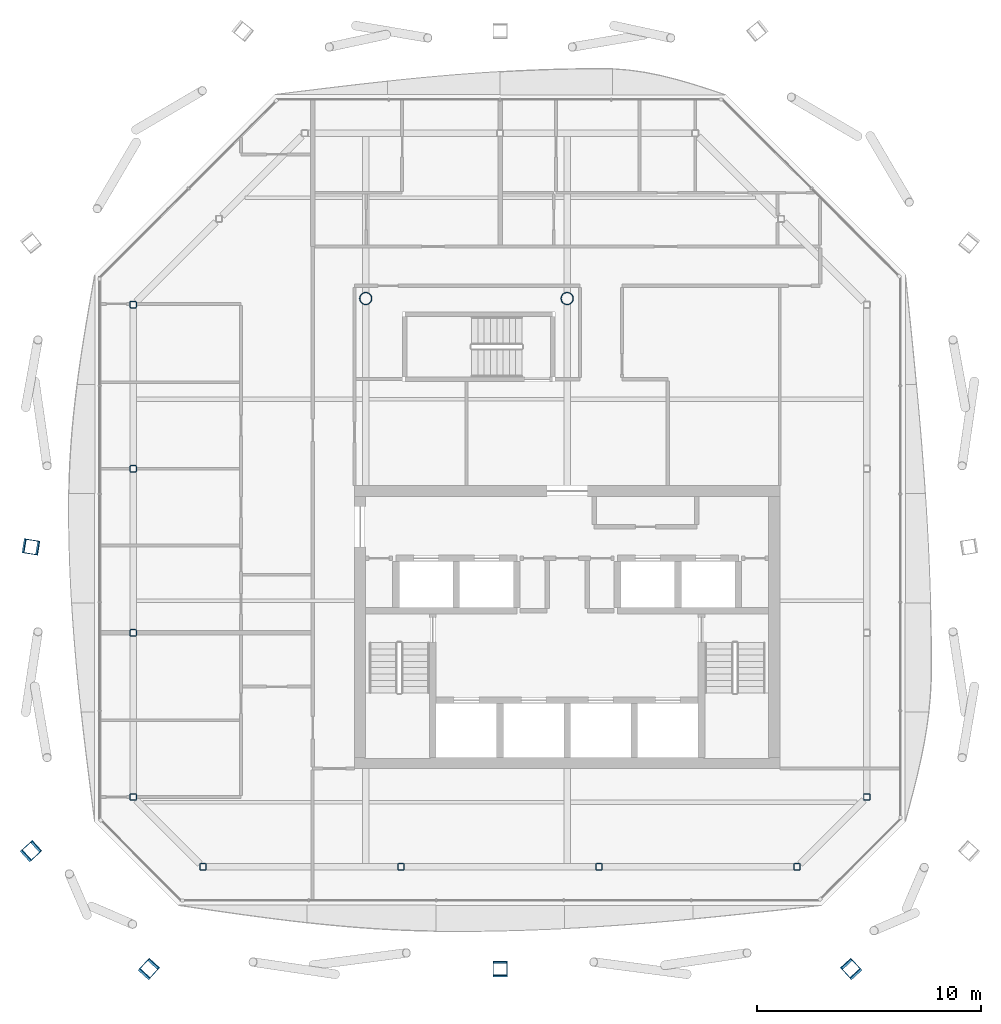
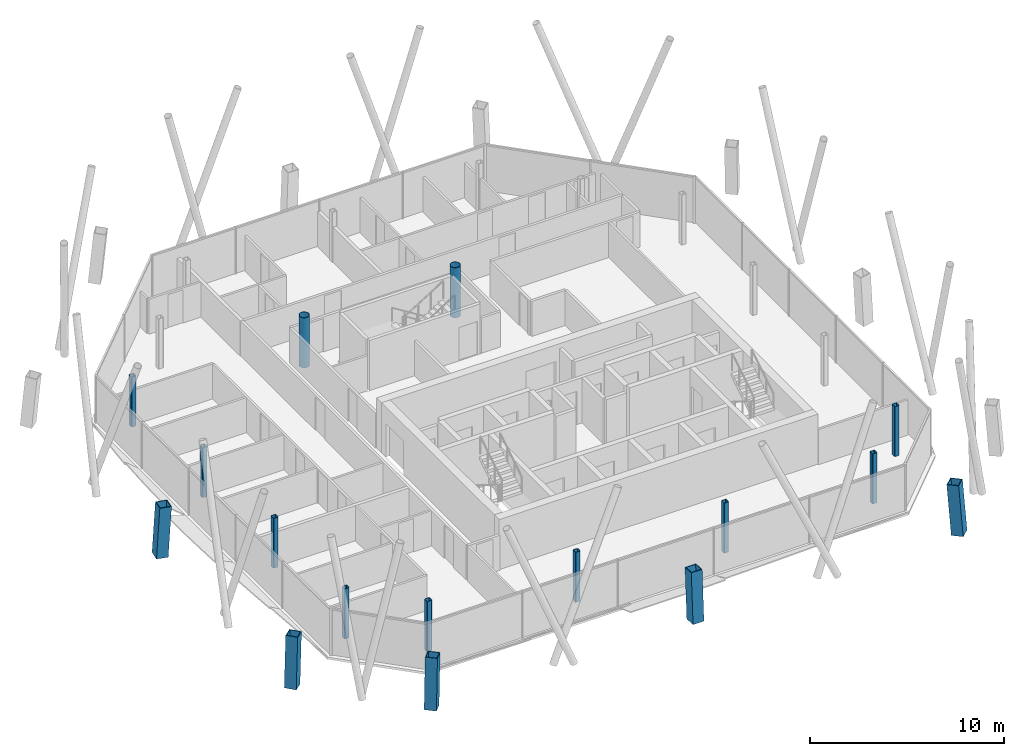
# One storey, part 1 of 17: 16 columns.
"""IFC4 building model written with IfcOpenShell, lengths in metres."""

from ifc_helpers import new_model, si_unit, direction, frame, origin, origin_2d, place, context, subcontext, project, spatial, hollow_rectangle, hollow_circle, extrude, material, material_profile, profile_set, type_object, element, save


model = new_model("IFC4")

# Units and contexts
model_context = context("Model", 3, precision=1e-05, world=origin(), true_north=direction((0.0, 1.0)))
body_context = subcontext(model_context, "Body", "Model", "MODEL_VIEW")
ifc_project = project(units=[si_unit("LENGTHUNIT", "METRE"), si_unit("AREAUNIT", "SQUARE_METRE"), si_unit("VOLUMEUNIT", "CUBIC_METRE"), si_unit("PLANEANGLEUNIT", "RADIAN"), si_unit("MASSUNIT", "GRAM", prefix="KILO")], contexts=[model_context])

# Site, building, storey
site_placement = place(None, origin())
site = spatial("IfcSite", under=ifc_project, at=site_placement, CompositionType="ELEMENT")
building_placement = place(site_placement, origin())
building = spatial("IfcBuilding", under=site, at=building_placement, Name="Tskaro Facet Tower", CompositionType="ELEMENT")
storey_placement = place(building_placement, frame((0.0, 0.0, 236.10009765625)))
storey = spatial("IfcBuildingStorey", under=building, at=storey_placement, Name="L61", CompositionType="ELEMENT", Elevation=236.10009765625)

# Columns
ifc_material_1 = material(Name="Steel S355J2", Category="steel")
ifc_material_profile_1 = material_profile(ifc_material_1, hollow_rectangle(XDim=0.64990234375, YDim=0.64990234375, WallThickness=0.0400390625, at=origin_2d()), Name="BOX 650x650x40")
ifc_profile_set_1 = profile_set([ifc_material_profile_1], Name="Steel S355J2")
column_type_1 = type_object("IfcColumnType", Name="BOX 650x650x40 mega column", PredefinedType="COLUMN", material=ifc_profile_set_1)
column_1_placement = place(storey_placement, frame((-18.719970703125, -20.989013671875, 0.0), z_axis=(0.052851719252, 0.057951446548, 0.996919417814), x_axis=(-0.738869281565, 0.673848784787, 0.0)))
element("IfcColumn", 1, at=column_1_placement, inside=storey, type_object=column_type_1, Name="BOX 650x650x40 MC01/5", PredefinedType="COLUMN", context=body_context, shape_type="SweptSolid", body=[
    extrude(hollow_rectangle(XDim=0.64990234375, YDim=0.64990234375, WallThickness=0.0400390625, at=origin_2d()), origin(), (0.0, 0.0, 1.0), 3.15966796875),
])
column_2_placement = place(storey_placement, frame((-3.0, -20.989013671875, 0.0), z_axis=(0.0, 0.058032554517, 0.998314691175), x_axis=(-1.0, 0.0, 0.0)))
element("IfcColumn", 2, at=column_2_placement, inside=storey, type_object=column_type_1, Name="BOX 650x650x40 MC02/5", PredefinedType="COLUMN", context=body_context, shape_type="SweptSolid", body=[
    extrude(hollow_rectangle(XDim=0.64990234375, YDim=0.64990234375, WallThickness=0.0400390625, at=origin_2d()), origin(), (0.0, 0.0, 1.0), 3.1552734375),
])
column_3_placement = place(storey_placement, frame((12.719970703125, -20.989013671875, 0.0), z_axis=(-0.052851719252, 0.057951446548, 0.996919417814), x_axis=(-0.738869281565, -0.673848784787, 0.0)))
element("IfcColumn", 3, at=column_3_placement, inside=storey, type_object=column_type_1, Name="BOX 650x650x40 MC03/5", PredefinedType="COLUMN", context=body_context, shape_type="SweptSolid", body=[
    extrude(hollow_rectangle(XDim=0.64990234375, YDim=0.64990234375, WallThickness=0.0400390625, at=origin_2d()), origin(), (0.0, 0.0, 1.0), 3.15966796875),
])
column_4_placement = place(storey_placement, frame((-23.989013671875, -2.092041015625, 0.0), z_axis=(0.058029926409, -0.009516907931, 0.998269480704), x_axis=(0.161838042552, 0.986817332632, 0.0)))
element("IfcColumn", 4, at=column_4_placement, inside=storey, type_object=column_type_1, Name="BOX 650x650x40 MC11/5", PredefinedType="COLUMN", context=body_context, shape_type="SweptSolid", body=[
    extrude(hollow_rectangle(XDim=0.64990234375, YDim=0.64990234375, WallThickness=0.0400390625, at=origin_2d()), origin(), (0.0, 0.0, 1.0), 3.1552734375),
])
column_5_placement = place(storey_placement, frame((-23.989013671875, -15.719970703125, 0.0), z_axis=(0.057951446548, 0.052851719252, 0.996919417814), x_axis=(-0.673848784787, 0.738869281565, 0.0)))
element("IfcColumn", 5, at=column_5_placement, inside=storey, type_object=column_type_1, Name="BOX 650x650x40 MC12/5", PredefinedType="COLUMN", context=body_context, shape_type="SweptSolid", body=[
    extrude(hollow_rectangle(XDim=0.64990234375, YDim=0.64990234375, WallThickness=0.0400390625, at=origin_2d()), origin(), (0.0, 0.0, 1.0), 3.15966796875),
])
ifc_material_2 = material(Name="Steel S355J2H", Category="steel")
ifc_material_profile_2 = material_profile(ifc_material_2, hollow_circle(Radius=0.279541015625, WallThickness=0.02490234375, at=origin_2d()), Name="CHS 559x25")
ifc_profile_set_2 = profile_set([ifc_material_profile_2], Name="Steel S355J2H")
column_type_2 = type_object("IfcColumnType", Name="CHS 559x25 interior column", PredefinedType="COLUMN", material=ifc_profile_set_2)
for number, where, z_axis, x_axis, name in (
    (6, (-9.0, 9.0, 0.0), (0.0, 0.0, 1.0), (1.0, 0.0, 0.0), "CHS 559x25 C3E/5"),
    (7, (0.0, 9.0, 0.0), (0.0, 0.0, 1.0), (1.0, 0.0, 0.0), "CHS 559x25 C4E/5"),
):
    element("IfcColumn", number, at=place(storey_placement, frame(where, z_axis=z_axis, x_axis=x_axis)), inside=storey, type_object=column_type_2, Name=name, PredefinedType="COLUMN", context=body_context, shape_type="SweptSolid", body=[
        extrude(hollow_circle(Radius=0.279541015625, WallThickness=0.02490234375, at=origin_2d()), origin(), (0.0, 0.0, 1.0), 3.14990234375),
    ])
ifc_material_profile_3 = material_profile(ifc_material_2, hollow_rectangle(XDim=0.300048828125, YDim=0.300048828125, WallThickness=0.02001953125, InnerFilletRadius=0.030029296875, OuterFilletRadius=0.050048828125, at=origin_2d()), Name="SHS 300x300x20")
ifc_profile_set_3 = profile_set([ifc_material_profile_3], Name="Steel S355J2H")
column_type_3 = type_object("IfcColumnType", Name="SHS 300x300x20 ring column", PredefinedType="COLUMN", material=ifc_profile_set_3)
for number, where, z_axis, x_axis, name in (
    (8, (-16.26806640625, -16.39111328125, 0.0), (0.0, 0.0, 1.0), (1.0, 0.0, 0.0), "SHS 300x300x20 RS-1/5"),
    (9, (-7.423095703125, -16.39111328125, 0.0), (0.0, 0.0, 1.0), (1.0, 0.0, 0.0), "SHS 300x300x20 RS-2/5"),
    (10, (1.423095703125, -16.39111328125, 0.0), (0.0, 0.0, 1.0), (1.0, 0.0, 0.0), "SHS 300x300x20 RS-3/5"),
    (11, (10.26806640625, -16.39111328125, 0.0), (0.0, 0.0, 1.0), (1.0, 0.0, 0.0), "SHS 300x300x20 RSE-1/5"),
    (12, (13.39111328125, -13.26806640625, 0.0), (0.0, 0.0, 1.0), (1.0, 0.0, 0.0), "SHS 300x300x20 RE-1/5"),
    (13, (-19.39111328125, 8.72509765625, 0.0), (0.0, 0.0, 1.0), (1.0, 0.0, 0.0), "SHS 300x300x20 RW-1/5"),
    (14, (-19.39111328125, 1.39404296875, 0.0), (0.0, 0.0, 1.0), (1.0, 0.0, 0.0), "SHS 300x300x20 RW-2/5"),
    (15, (-19.39111328125, -5.93701171875, 0.0), (0.0, 0.0, 1.0), (1.0, 0.0, 0.0), "SHS 300x300x20 RW-3/5"),
    (16, (-19.39111328125, -13.26806640625, 0.0), (0.0, 0.0, 1.0), (1.0, 0.0, 0.0), "SHS 300x300x20 RSW-1/5"),
):
    element("IfcColumn", number, at=place(storey_placement, frame(where, z_axis=z_axis, x_axis=x_axis)), inside=storey, type_object=column_type_3, Name=name, PredefinedType="COLUMN", context=body_context, shape_type="SweptSolid", body=[
        extrude(hollow_rectangle(XDim=0.300048828125, YDim=0.300048828125, WallThickness=0.02001953125, InnerFilletRadius=0.030029296875, OuterFilletRadius=0.050048828125, at=origin_2d()), origin(), (0.0, 0.0, 1.0), 3.14990234375),
    ])

save(model, "model.ifc")
